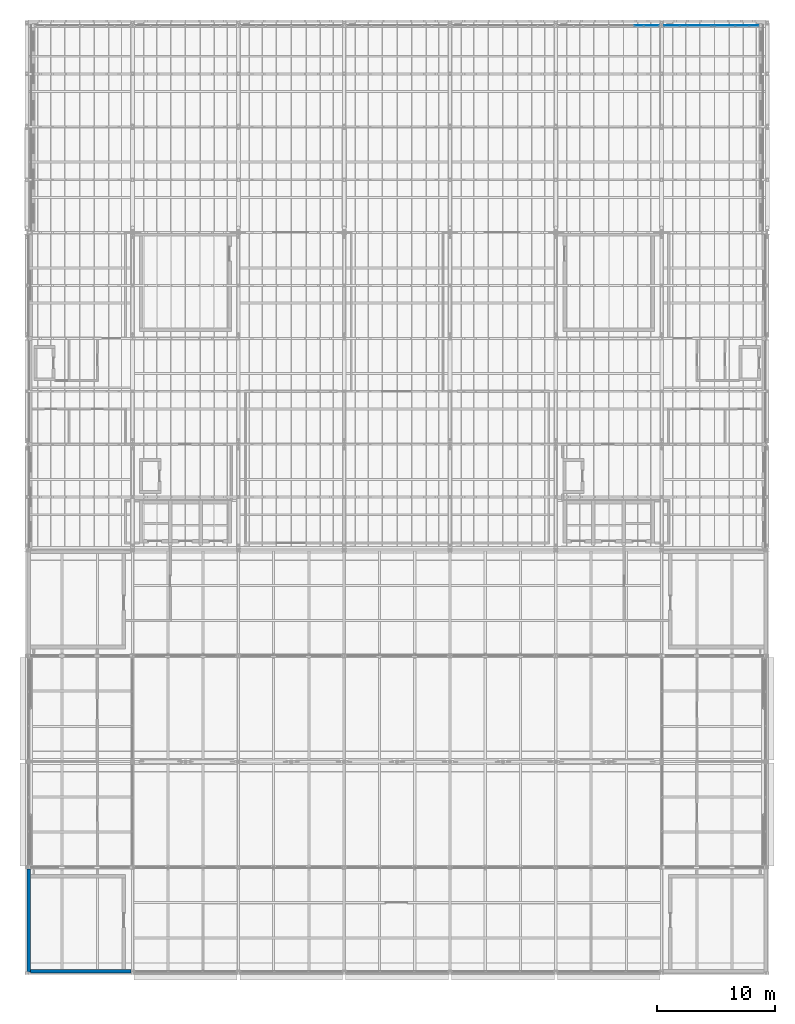
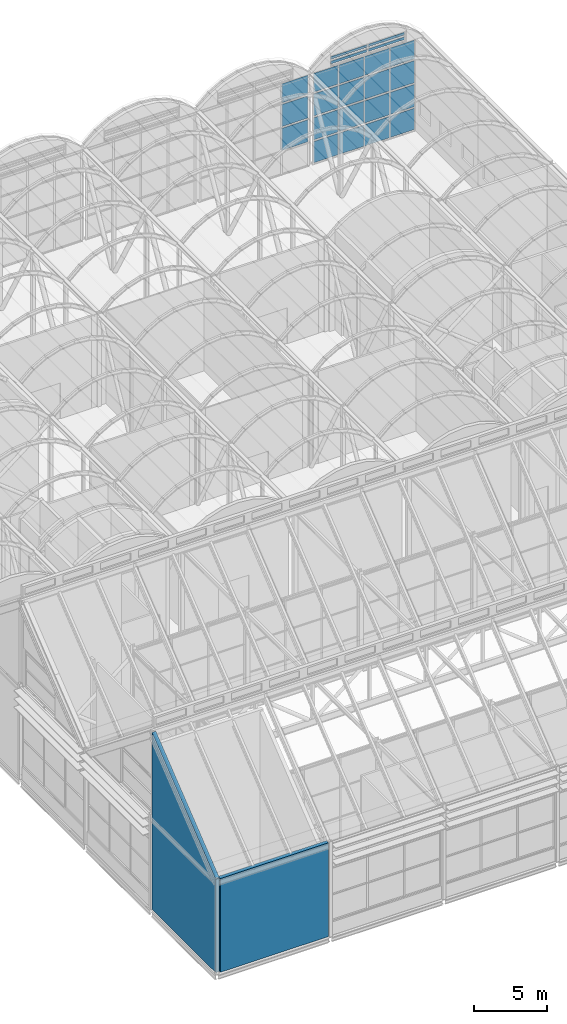
# One storey, part 123 of 144: 23 plates, 2 walls, 3 elements without a shape of their own.
"""IFC4 building model written with IfcOpenShell, lengths in metres."""

from ifc_helpers import new_model, si_unit, direction, frame, frame_2d, origin, origin_2d, place, context, subcontext, project, spatial, polyline, rectangle, outline, extrude, material, layer, layer_set, type_object, element, aggregate, save


model = new_model("IFC4")

# Units and contexts
model_context = context("Model", 3, precision=1e-05, world=origin(), true_north=direction((0.0, 1.0)))
body_context = subcontext(model_context, "Body", "Model", "MODEL_VIEW")
ifc_project = project(units=[si_unit("LENGTHUNIT", "METRE"), si_unit("AREAUNIT", "SQUARE_METRE"), si_unit("VOLUMEUNIT", "CUBIC_METRE"), si_unit("PLANEANGLEUNIT", "RADIAN"), si_unit("MASSUNIT", "GRAM", prefix="KILO")], contexts=[model_context])

# Site, building, storey
site_placement = place(None, origin())
site = spatial("IfcSite", under=ifc_project, at=site_placement, CompositionType="ELEMENT")
building_placement = place(site_placement, origin())
building = spatial("IfcBuilding", under=site, at=building_placement, Name="Shorebreak Coast Museum", CompositionType="ELEMENT")
storey_placement = place(building_placement, frame((0.0, 0.0, 36.0)))
storey = spatial("IfcBuildingStorey", under=building, at=storey_placement, Name="L06", CompositionType="ELEMENT", Elevation=36.0)

# Curtain wall, plates
ifc_material_1 = material(Name="Aluminium", Category="aluminium")
ifc_layer_1 = layer(ifc_material_1, 0.14990234375)
ifc_layer_set_1 = layer_set([ifc_layer_1], Name="Aluminium")
curtain_wall_type_1 = type_object("IfcCurtainWallType", Name="Barrel end glazing", PredefinedType="NOTDEFINED", material=ifc_layer_set_1)
curtain_wall_1_placement = place(storey_placement, origin())
curtain_wall_1 = element("IfcCurtainWall", 1, at=curtain_wall_1_placement, inside=storey, type_object=curtain_wall_type_1, Name="Barrel end glazing L06 6", PredefinedType="NOTDEFINED")
ifc_material_2 = material(Name="Glass", Category="glass")
ifc_layer_2 = layer(ifc_material_2, 0.035888671875)
ifc_layer_set_2 = layer_set([ifc_layer_2], Name="Glass")
plate_type_1 = type_object("IfcPlateType", Name="Barrel glass panel 36", PredefinedType="CURTAIN_PANEL", material=ifc_layer_set_2)
plate_1_placement = place(storey_placement, frame((106.738525390625, 134.60009765625, 2.074951171875), z_axis=(0.0, 0.0, 1.0), x_axis=(1.0, 0.0, 0.0)))
plate_1 = element("IfcPlate", 2, at=plate_1_placement, type_object=plate_type_1, Name="CW7 panel 4.2", PredefinedType="CURTAIN_PANEL", context=body_context, shape_type="SweptSolid", body=[
    extrude(rectangle(XDim=2.0791015625, YDim=0.035888671875, at=origin_2d()), origin(), (0.0, 0.0, 1.0), 1.85009765625),
])
plate_2_placement = place(storey_placement, frame((106.738525390625, 134.60009765625, 4.074951171875), z_axis=(0.0, 0.0, 1.0), x_axis=(1.0, 0.0, 0.0)))
plate_2 = element("IfcPlate", 3, at=plate_2_placement, type_object=plate_type_1, Name="CW7 panel 4.3", PredefinedType="CURTAIN_PANEL", context=body_context, shape_type="SweptSolid", body=[
    extrude(rectangle(XDim=2.0791015625, YDim=0.035888671875, at=origin_2d()), origin(), (0.0, 0.0, 1.0), 1.85009765625),
])
plate_3_placement = place(storey_placement, frame((106.738525390625, 134.60009765625, 6.0751953125), z_axis=(0.0, 0.0, 1.0), x_axis=(1.0, 0.0, 0.0)))
plate_3 = element("IfcPlate", 4, at=plate_3_placement, type_object=plate_type_1, Name="CW7 panel 4.4", PredefinedType="CURTAIN_PANEL", context=body_context, shape_type="SweptSolid", body=[
    extrude(rectangle(XDim=2.0791015625, YDim=0.035888671875, at=origin_2d()), origin(), (0.0, 0.0, 1.0), 1.574951171875),
])
aggregate(curtain_wall_1, [plate_1, plate_2, plate_3])

curtain_wall_2_placement = place(storey_placement, origin())
curtain_wall_2 = element("IfcCurtainWall", 5, at=curtain_wall_2_placement, inside=storey, type_object=curtain_wall_type_1, Name="Barrel end glazing L06 7", PredefinedType="NOTDEFINED")
plate_4_placement = place(storey_placement, frame((109.1943359375, 134.60009765625, 0.150146484375), z_axis=(0.0, 0.0, 1.0), x_axis=(1.0, 0.0, 0.0)))
plate_4 = element("IfcPlate", 6, at=plate_4_placement, type_object=plate_type_1, Name="CW7 panel 1.1", PredefinedType="CURTAIN_PANEL", context=body_context, shape_type="SweptSolid", body=[
    extrude(rectangle(XDim=1.944580078125, YDim=0.035888671875, at=origin_2d()), origin(), (0.0, 0.0, 1.0), 1.77490234375),
])
plate_5_placement = place(storey_placement, frame((109.1943359375, 134.60009765625, 2.074951171875), z_axis=(0.0, 0.0, 1.0), x_axis=(1.0, 0.0, 0.0)))
plate_5 = element("IfcPlate", 7, at=plate_5_placement, type_object=plate_type_1, Name="CW7 panel 1.2", PredefinedType="CURTAIN_PANEL", context=body_context, shape_type="SweptSolid", body=[
    extrude(rectangle(XDim=1.944580078125, YDim=0.035888671875, at=origin_2d()), origin(), (0.0, 0.0, 1.0), 1.85009765625),
])
plate_6_placement = place(storey_placement, frame((109.1943359375, 134.60009765625, 4.074951171875), z_axis=(0.0, 0.0, 1.0), x_axis=(1.0, 0.0, 0.0)))
plate_6 = element("IfcPlate", 8, at=plate_6_placement, type_object=plate_type_1, Name="CW7 panel 1.3", PredefinedType="CURTAIN_PANEL", context=body_context, shape_type="SweptSolid", body=[
    extrude(rectangle(XDim=1.944580078125, YDim=0.035888671875, at=origin_2d()), origin(), (0.0, 0.0, 1.0), 1.85009765625),
])
plate_7_placement = place(storey_placement, frame((109.1943359375, 134.60009765625, 6.0751953125), z_axis=(0.0, 0.0, 1.0), x_axis=(1.0, 0.0, 0.0)))
plate_7 = element("IfcPlate", 9, at=plate_7_placement, type_object=plate_type_1, Name="CW7 panel 1.4", PredefinedType="CURTAIN_PANEL", context=body_context, shape_type="SweptSolid", body=[
    extrude(rectangle(XDim=1.944580078125, YDim=0.035888671875, at=origin_2d()), origin(), (0.0, 0.0, 1.0), 1.574951171875),
])
plate_8_placement = place(storey_placement, frame((111.2138671875, 134.60009765625, 0.150146484375), z_axis=(0.0, 0.0, 1.0), x_axis=(1.0, 0.0, 0.0)))
plate_8 = element("IfcPlate", 10, at=plate_8_placement, type_object=plate_type_1, Name="CW7 panel 2.1", PredefinedType="CURTAIN_PANEL", context=body_context, shape_type="SweptSolid", body=[
    extrude(rectangle(XDim=1.974609375, YDim=0.035888671875, at=origin_2d()), origin(), (0.0, 0.0, 1.0), 1.77490234375),
])
plate_9_placement = place(storey_placement, frame((111.2138671875, 134.60009765625, 2.074951171875), z_axis=(0.0, 0.0, 1.0), x_axis=(1.0, 0.0, 0.0)))
plate_9 = element("IfcPlate", 11, at=plate_9_placement, type_object=plate_type_1, Name="CW7 panel 2.2", PredefinedType="CURTAIN_PANEL", context=body_context, shape_type="SweptSolid", body=[
    extrude(rectangle(XDim=1.974609375, YDim=0.035888671875, at=origin_2d()), origin(), (0.0, 0.0, 1.0), 1.85009765625),
])
plate_10_placement = place(storey_placement, frame((111.2138671875, 134.60009765625, 4.074951171875), z_axis=(0.0, 0.0, 1.0), x_axis=(1.0, 0.0, 0.0)))
plate_10 = element("IfcPlate", 12, at=plate_10_placement, type_object=plate_type_1, Name="CW7 panel 2.3", PredefinedType="CURTAIN_PANEL", context=body_context, shape_type="SweptSolid", body=[
    extrude(rectangle(XDim=1.974609375, YDim=0.035888671875, at=origin_2d()), origin(), (0.0, 0.0, 1.0), 1.85009765625),
])
plate_11_placement = place(storey_placement, frame((111.2138671875, 134.60009765625, 6.0751953125), z_axis=(0.0, 0.0, 1.0), x_axis=(1.0, 0.0, 0.0)))
plate_11 = element("IfcPlate", 13, at=plate_11_placement, type_object=plate_type_1, Name="CW7 panel 2.4", PredefinedType="CURTAIN_PANEL", context=body_context, shape_type="SweptSolid", body=[
    extrude(rectangle(XDim=1.974609375, YDim=0.035888671875, at=origin_2d()), origin(), (0.0, 0.0, 1.0), 1.574951171875),
])
plate_12_placement = place(storey_placement, frame((113.248291015625, 134.60009765625, 0.150146484375), z_axis=(0.0, 0.0, 1.0), x_axis=(1.0, 0.0, 0.0)))
plate_12 = element("IfcPlate", 14, at=plate_12_placement, type_object=plate_type_1, Name="CW7 panel 3.1", PredefinedType="CURTAIN_PANEL", context=body_context, shape_type="SweptSolid", body=[
    extrude(rectangle(XDim=1.974609375, YDim=0.035888671875, at=origin_2d()), origin(), (0.0, 0.0, 1.0), 1.77490234375),
])
plate_13_placement = place(storey_placement, frame((113.248291015625, 134.60009765625, 2.074951171875), z_axis=(0.0, 0.0, 1.0), x_axis=(1.0, 0.0, 0.0)))
plate_13 = element("IfcPlate", 15, at=plate_13_placement, type_object=plate_type_1, Name="CW7 panel 3.2", PredefinedType="CURTAIN_PANEL", context=body_context, shape_type="SweptSolid", body=[
    extrude(rectangle(XDim=1.974609375, YDim=0.035888671875, at=origin_2d()), origin(), (0.0, 0.0, 1.0), 1.85009765625),
])
plate_14_placement = place(storey_placement, frame((113.248291015625, 134.60009765625, 4.074951171875), z_axis=(0.0, 0.0, 1.0), x_axis=(1.0, 0.0, 0.0)))
plate_14 = element("IfcPlate", 16, at=plate_14_placement, type_object=plate_type_1, Name="CW7 panel 3.3", PredefinedType="CURTAIN_PANEL", context=body_context, shape_type="SweptSolid", body=[
    extrude(rectangle(XDim=1.974609375, YDim=0.035888671875, at=origin_2d()), origin(), (0.0, 0.0, 1.0), 1.85009765625),
])
plate_15_placement = place(storey_placement, frame((113.248291015625, 134.60009765625, 6.0751953125), z_axis=(0.0, 0.0, 1.0), x_axis=(1.0, 0.0, 0.0)))
plate_15 = element("IfcPlate", 17, at=plate_15_placement, type_object=plate_type_1, Name="CW7 panel 3.4", PredefinedType="CURTAIN_PANEL", context=body_context, shape_type="SweptSolid", body=[
    extrude(rectangle(XDim=1.974609375, YDim=0.035888671875, at=origin_2d()), origin(), (0.0, 0.0, 1.0), 1.574951171875),
])
plate_16_placement = place(storey_placement, frame((115.267822265625, 134.60009765625, 0.150146484375), z_axis=(0.0, 0.0, 1.0), x_axis=(1.0, 0.0, 0.0)))
plate_16 = element("IfcPlate", 18, at=plate_16_placement, type_object=plate_type_1, Name="CW7 panel 4.1", PredefinedType="CURTAIN_PANEL", context=body_context, shape_type="SweptSolid", body=[
    extrude(rectangle(XDim=1.944580078125, YDim=0.035888671875, at=origin_2d()), origin(), (0.0, 0.0, 1.0), 1.77490234375),
])
plate_17_placement = place(storey_placement, frame((115.267822265625, 134.60009765625, 2.074951171875), z_axis=(0.0, 0.0, 1.0), x_axis=(1.0, 0.0, 0.0)))
plate_17 = element("IfcPlate", 19, at=plate_17_placement, type_object=plate_type_1, Name="CW7 panel 4.2", PredefinedType="CURTAIN_PANEL", context=body_context, shape_type="SweptSolid", body=[
    extrude(rectangle(XDim=1.944580078125, YDim=0.035888671875, at=origin_2d()), origin(), (0.0, 0.0, 1.0), 1.85009765625),
])
plate_18_placement = place(storey_placement, frame((115.267822265625, 134.60009765625, 4.074951171875), z_axis=(0.0, 0.0, 1.0), x_axis=(1.0, 0.0, 0.0)))
plate_18 = element("IfcPlate", 20, at=plate_18_placement, type_object=plate_type_1, Name="CW7 panel 4.3", PredefinedType="CURTAIN_PANEL", context=body_context, shape_type="SweptSolid", body=[
    extrude(rectangle(XDim=1.944580078125, YDim=0.035888671875, at=origin_2d()), origin(), (0.0, 0.0, 1.0), 1.85009765625),
])
plate_19_placement = place(storey_placement, frame((115.267822265625, 134.60009765625, 6.0751953125), z_axis=(0.0, 0.0, 1.0), x_axis=(1.0, 0.0, 0.0)))
plate_19 = element("IfcPlate", 21, at=plate_19_placement, type_object=plate_type_1, Name="CW7 panel 4.4", PredefinedType="CURTAIN_PANEL", context=body_context, shape_type="SweptSolid", body=[
    extrude(rectangle(XDim=1.944580078125, YDim=0.035888671875, at=origin_2d()), origin(), (0.0, 0.0, 1.0), 1.574951171875),
])
aggregate(curtain_wall_2, [plate_4, plate_5, plate_6, plate_7, plate_8, plate_9, plate_10, plate_11, plate_12, plate_13, plate_14, plate_15, plate_16, plate_17, plate_18, plate_19])

ifc_material_3 = material(Name="Aluminium", Category="aluminium")
ifc_layer_3 = layer(ifc_material_3, 0.175048828125)
ifc_layer_set_3 = layer_set([ifc_layer_3], Name="Aluminium")
curtain_wall_type_2 = type_object("IfcCurtainWallType", Name="Gable curtain wall", PredefinedType="NOTDEFINED", material=ifc_layer_set_3)
curtain_wall_3_placement = place(storey_placement, origin())
curtain_wall_3 = element("IfcCurtainWall", 22, at=curtain_wall_3_placement, inside=storey, type_object=curtain_wall_type_2, Name="Vault arch glazing V7", PredefinedType="NOTDEFINED")
ifc_material_4 = material(Name="Glass", Category="glass")
ifc_layer_4 = layer(ifc_material_4, 0.0400390625)
ifc_layer_set_4 = layer_set([ifc_layer_4], Name="Glass")
plate_type_2 = type_object("IfcPlateType", Name="Gable glass panel 40", PredefinedType="CURTAIN_PANEL", material=ifc_layer_set_4)
plate_20_placement = place(storey_placement, frame((111.014892578125, 134.60009765625, 7.97509765625), z_axis=(0.0, 0.0, 1.0), x_axis=(1.0, 0.0, 0.0)))
plate_20 = element("IfcPlate", 23, at=plate_20_placement, type_object=plate_type_2, Name="CW9 panel 1.1", PredefinedType="CURTAIN_PANEL", context=body_context, shape_type="SweptSolid", body=[
    extrude(rectangle(XDim=2.909912109375, YDim=0.0400390625, at=origin_2d()), origin(), (0.0, 0.0, 1.0), 0.21240234375),
])
plate_21_placement = place(storey_placement, frame((111.014892578125, 134.60009765625, 8.362548828125), z_axis=(0.0, 0.0, 1.0), x_axis=(1.0, 0.0, 0.0)))
plate_21 = element("IfcPlate", 24, at=plate_21_placement, type_object=plate_type_2, Name="CW9 panel 1.2", PredefinedType="CURTAIN_PANEL", context=body_context, shape_type="SweptSolid", body=[
    extrude(rectangle(XDim=2.909912109375, YDim=0.0400390625, at=origin_2d()), origin(), (0.0, 0.0, 1.0), 0.21240234375),
])
plate_22_placement = place(storey_placement, frame((113.985107421875, 134.60009765625, 7.97509765625), z_axis=(0.0, 0.0, 1.0), x_axis=(1.0, 0.0, 0.0)))
plate_22 = element("IfcPlate", 25, at=plate_22_placement, type_object=plate_type_2, Name="CW9 panel 2.1", PredefinedType="CURTAIN_PANEL", context=body_context, shape_type="SweptSolid", body=[
    extrude(rectangle(XDim=2.909912109375, YDim=0.0400390625, at=origin_2d()), origin(), (0.0, 0.0, 1.0), 0.21240234375),
])
plate_23_placement = place(storey_placement, frame((113.985107421875, 134.60009765625, 8.362548828125), z_axis=(0.0, 0.0, 1.0), x_axis=(1.0, 0.0, 0.0)))
plate_23 = element("IfcPlate", 26, at=plate_23_placement, type_object=plate_type_2, Name="CW9 panel 2.2", PredefinedType="CURTAIN_PANEL", context=body_context, shape_type="SweptSolid", body=[
    extrude(rectangle(XDim=2.909912109375, YDim=0.0400390625, at=origin_2d()), origin(), (0.0, 0.0, 1.0), 0.21240234375),
])
aggregate(curtain_wall_3, [plate_20, plate_21, plate_22, plate_23])

# Walls
ifc_material_5 = material(Name="Concrete N50 (50 MPa)", Category="concrete")
ifc_layer_5 = layer(ifc_material_5, 0.300048828125)
ifc_layer_set_5 = layer_set([ifc_layer_5], Name="Concrete N50 (50 MPa)")
wall_type = type_object("IfcWallType", Name="RC wall 300", PredefinedType="SHEAR", material=ifc_layer_set_5)
wall_1_placement = place(storey_placement, frame((54.300048828125, 54.14990234375, 0.0), z_axis=(0.0, 0.0, 1.0), x_axis=(1.0, 0.0, 0.0)))
element("IfcWall", 27, at=wall_1_placement, inside=storey, type_object=wall_type, Name="Stair core wall ST01 L06 S", PredefinedType="SHEAR", context=body_context, shape_type="SweptSolid", body=[
    extrude(rectangle(XDim=8.574951171875, YDim=0.300048828125, at=frame_2d((4.28759765625, 0.0))), origin(), (0.0, 0.0, 1.0), 7.864013671875),
])
wall_2_placement = place(storey_placement, frame((54.14990234375, 54.125, 0.0), z_axis=(0.0, 0.0, 1.0), x_axis=(0.0, 1.0, 0.0)))
element("IfcWall", 28, at=wall_2_placement, inside=storey, type_object=wall_type, Name="Stair core wall ST01 L06 W", PredefinedType="SHEAR", context=body_context, shape_type="SweptSolid", body=[
    extrude(outline(polyline([(0.0, 0.0), (8.75, 0.0), (8.75, 14.843994140625), (0.0, 7.843994140625), (0.0, 0.0)])), frame((0.0, 0.14990234375, 0.0), z_axis=(0.0, -1.0, 0.0), x_axis=(1.0, 0.0, 0.0)), (0.0, 0.0, 1.0), 0.300048828125),
])

save(model, "model.ifc")
